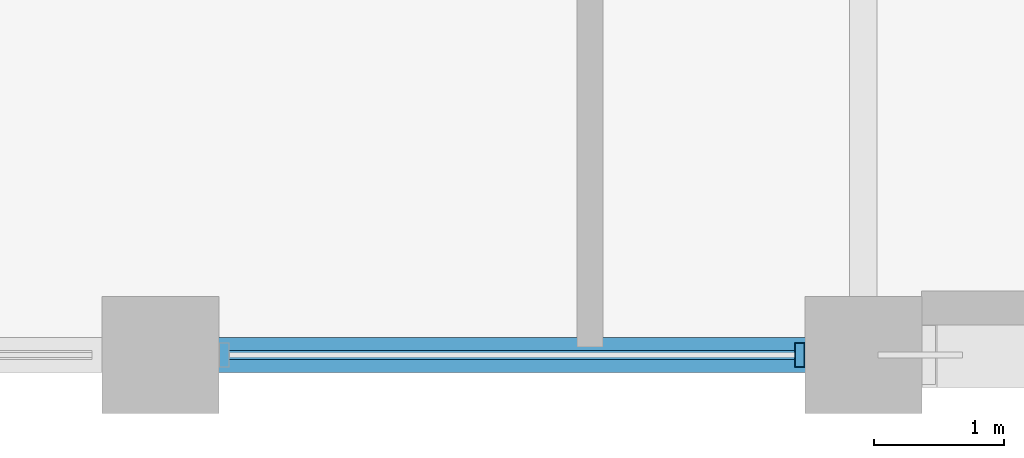
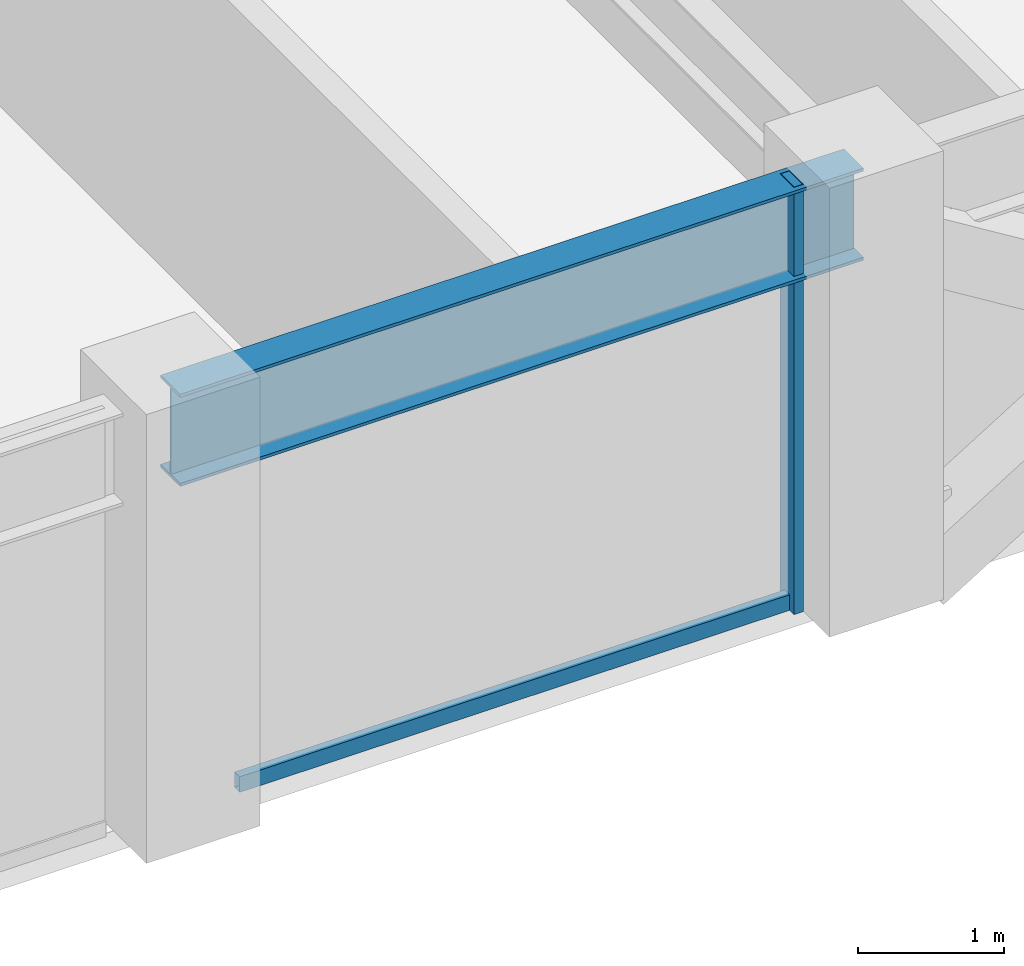
# One storey, part 3 of 32: 2 members, 1 beam, 1 element without a shape of its own.
"""IFC4 building model written with IfcOpenShell, lengths in metres."""

from ifc_helpers import new_model, si_unit, direction, frame, origin, origin_2d, place, context, subcontext, project, spatial, hollow_rectangle, i_section, extrude, material, layer, layer_set, material_profile, profile_set, type_object, element, aggregate, save


model = new_model("IFC4")

# Units and contexts
model_context = context("Model", 3, precision=1e-05, world=origin(), true_north=direction((0.0, 1.0)))
body_context = subcontext(model_context, "Body", "Model", "MODEL_VIEW")
ifc_project = project(units=[si_unit("LENGTHUNIT", "METRE"), si_unit("AREAUNIT", "SQUARE_METRE"), si_unit("VOLUMEUNIT", "CUBIC_METRE"), si_unit("PLANEANGLEUNIT", "RADIAN"), si_unit("MASSUNIT", "GRAM", prefix="KILO")], contexts=[model_context])

# Site, building, storey
site_placement = place(None, origin())
site = spatial("IfcSite", under=ifc_project, at=site_placement, CompositionType="ELEMENT")
building_placement = place(site_placement, origin())
building = spatial("IfcBuilding", under=site, at=building_placement, Name="Surkhivell Harbour Commons", CompositionType="ELEMENT")
storey_placement = place(building_placement, frame((0.0, 0.0, 208.5)))
storey = spatial("IfcBuildingStorey", under=building, at=storey_placement, Name="L54", CompositionType="ELEMENT", Elevation=208.5)

# Beam
ifc_material_1 = material(Name="Steel S355", Category="steel")
ifc_material_profile_1 = material_profile(ifc_material_1, i_section(OverallWidth=0.26806640625, OverallDepth=0.77001953125, WebThickness=0.015625, FlangeThickness=0.025390625, at=origin_2d()), Name="UB762x267x197")
ifc_profile_set_1 = profile_set([ifc_material_profile_1], Name="Steel S355")
beam_type = type_object("IfcBeamType", Name="BM-SPN-762", PredefinedType="SPANDREL", material=ifc_profile_set_1)
beam_placement = place(storey_placement, frame((-16.199951171875, -21.60009765625, 3.18505859375), z_axis=(1.0, 0.0, 0.0), x_axis=(0.0, 1.0, 0.0)))
element("IfcBeam", 1, at=beam_placement, inside=storey, type_object=beam_type, Name="L54 Tube Spandrel (-16.2,-21.6)", PredefinedType="SPANDREL", context=body_context, shape_type="SweptSolid", body=[
    extrude(i_section(OverallWidth=0.26806640625, OverallDepth=0.77001953125, WebThickness=0.015625, FlangeThickness=0.025390625, at=origin_2d()), origin(), (0.0, 0.0, 1.0), 5.39990234375),
])

# Curtain wall, members
ifc_material_2 = material(Name="Anodised pale-metal aluminium and insulated glazing", Category="aluminium")
ifc_layer = layer(ifc_material_2, 0.18994140625)
ifc_layer_set = layer_set([ifc_layer], Name="Anodised pale-metal aluminium and insulated glazing")
curtain_wall_type = type_object("IfcCurtainWallType", Name="CW-SYS-Z3", PredefinedType="NOTDEFINED", material=ifc_layer_set)
curtain_wall_placement = place(storey_placement, origin())
curtain_wall = element("IfcCurtainWall", 2, at=curtain_wall_placement, inside=storey, type_object=curtain_wall_type, Name="L54 Curtain Wall CW-L54-E00S1", PredefinedType="NOTDEFINED")
ifc_material_3 = material(Name="Anodised pale-metal aluminium alloy 6063-T6", Category="aluminium")
ifc_material_profile_2 = material_profile(ifc_material_3, hollow_rectangle(XDim=0.074951171875, YDim=0.18994140625, WallThickness=0.00390625, at=origin_2d()), Name="ALU-MULL-75x190")
ifc_profile_set_2 = profile_set([ifc_material_profile_2], Name="Anodised pale-metal aluminium alloy 6063-T6")
member_type_1 = type_object("IfcMemberType", Name="CWM-190", PredefinedType="MULLION", material=ifc_profile_set_2)
member_1_placement = place(storey_placement, frame((-11.28955078125, -21.60009765625, 0.0), z_axis=(0.0, 0.0, 1.0), x_axis=(1.0, 0.0, 0.0)))
member_1 = element("IfcMember", 3, at=member_1_placement, type_object=member_type_1, Name="CW-Z3 mullion 3", PredefinedType="MULLION", context=body_context, shape_type="SweptSolid", body=[
    extrude(hollow_rectangle(XDim=0.074951171875, YDim=0.18994140625, WallThickness=0.00390625, at=origin_2d()), origin(), (0.0, 0.0, 1.0), 3.570068359375),
])
ifc_material_4 = material(Name="Champagne anodised aluminium alloy 6063-T6", Category="aluminium")
ifc_material_profile_3 = material_profile(ifc_material_4, hollow_rectangle(XDim=0.070068359375, YDim=0.1298828125, WallThickness=0.00341796875, at=origin_2d()), Name="ALU-TRAN-70x130")
ifc_profile_set_3 = profile_set([ifc_material_profile_3], Name="Champagne anodised aluminium alloy 6063-T6")
member_type_2 = type_object("IfcMemberType", Name="CWT-130", PredefinedType="USERDEFINED", material=ifc_profile_set_3)
member_2_placement = place(storey_placement, frame((-15.673095703125, -21.60009765625, 0.06494140625), z_axis=(1.0, 0.0, 0.0), x_axis=(0.0, 1.0, 0.0)))
member_2 = element("IfcMember", 4, at=member_2_placement, type_object=member_type_2, Name="CW-Z3 transom 2.1", ObjectType="TRANSOM", PredefinedType="USERDEFINED", context=body_context, shape_type="SweptSolid", body=[
    extrude(hollow_rectangle(XDim=0.070068359375, YDim=0.1298828125, WallThickness=0.00341796875, at=origin_2d()), origin(), (0.0, 0.0, 1.0), 4.34619140625),
])
aggregate(curtain_wall, [member_1, member_2])

save(model, "model.ifc")
